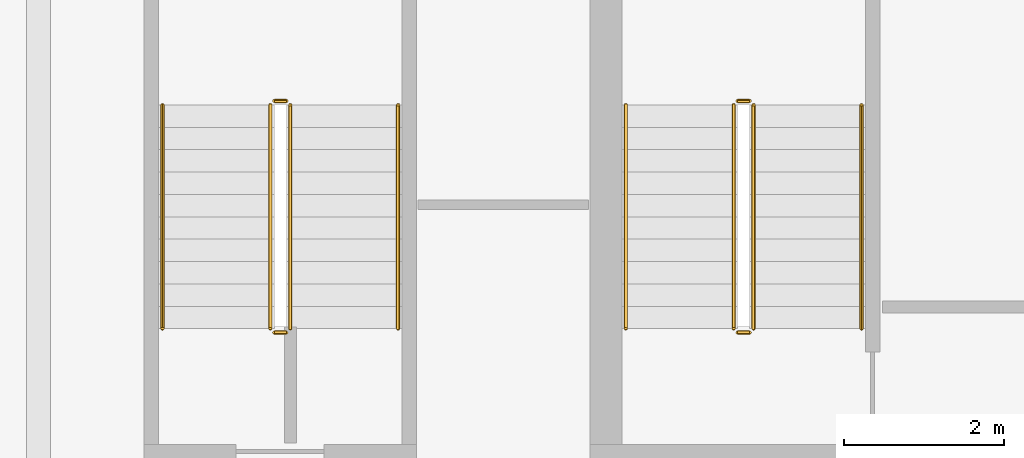
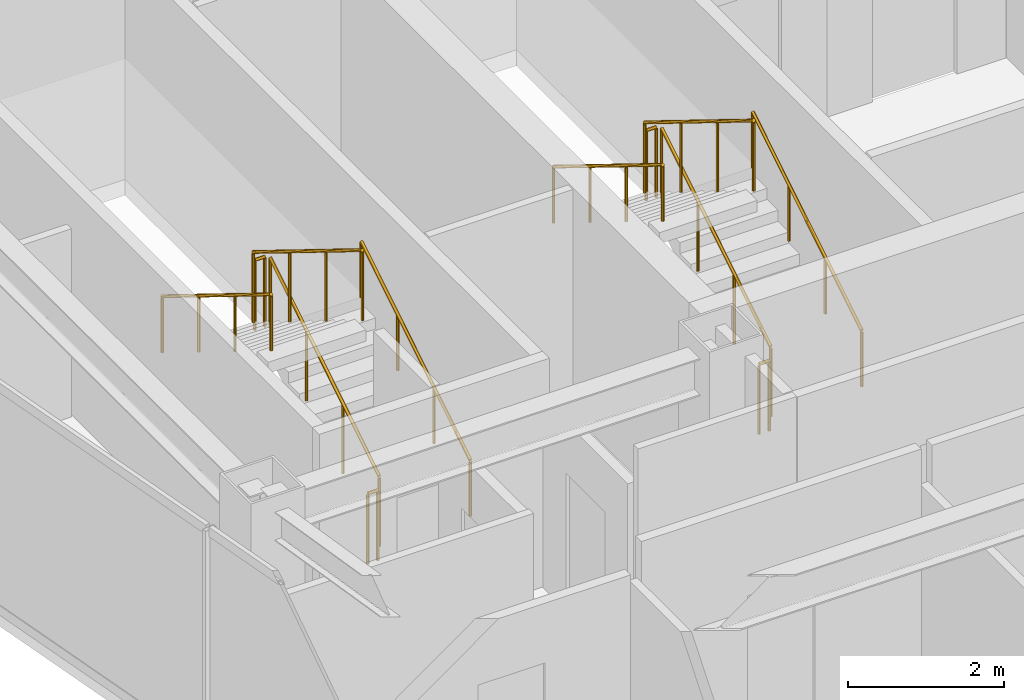
# One storey, part 31 of 33: 12 railings.
"""IFC4 building model written with IfcOpenShell, lengths in metres."""

from ifc_helpers import new_model, si_unit, direction, frame, origin, origin_2d, place, context, subcontext, project, spatial, circle, extrude, material, type_object, element, save


model = new_model("IFC4")

# Units and contexts
model_context = context("Model", 3, precision=1e-05, world=origin(), true_north=direction((0.0, 1.0)))
body_context = subcontext(model_context, "Body", "Model", "MODEL_VIEW")
ifc_project = project(units=[si_unit("LENGTHUNIT", "METRE"), si_unit("AREAUNIT", "SQUARE_METRE"), si_unit("VOLUMEUNIT", "CUBIC_METRE"), si_unit("PLANEANGLEUNIT", "RADIAN"), si_unit("MASSUNIT", "GRAM", prefix="KILO")], contexts=[model_context])

# Site, building, storey
site_placement = place(None, origin())
site = spatial("IfcSite", under=ifc_project, at=site_placement, CompositionType="ELEMENT")
building_placement = place(site_placement, origin())
building = spatial("IfcBuilding", under=site, at=building_placement, Name="Saevonmaru Cultural Tower", CompositionType="ELEMENT")
storey_placement = place(building_placement, frame((0.0, 0.0, 238.199951171875)))
storey = spatial("IfcBuildingStorey", under=building, at=storey_placement, Name="L55", CompositionType="ELEMENT", Elevation=238.199951171875)

# Railings
ifc_material_1 = material(Name="Architectural Painted Steel", Category="steel")
railing_type_1 = type_object("IfcRailingType", Name="RL-STAIR-GUARD", PredefinedType="GUARDRAIL", material=ifc_material_1)
railing_1_placement = place(storey_placement, frame((15.75, 44.85009765625, 0.1728515625)))
element("IfcRailing", 1, at=railing_1_placement, inside=storey, type_object=railing_type_1, Name="L55 ST-1 stair guard 1", PredefinedType="GUARDRAIL", context=body_context, shape_type="SweptSolid", body=[
    extrude(circle(Radius=0.02392578125, at=origin_2d()), frame((0.0, 0.0, 1.09619140625), z_axis=(0.0, 0.851069175582, 0.525053576669), x_axis=(-1.0, 0.0, 0.0)), (0.0, 0.0, 1.0), 3.289794921875),
    extrude(circle(Radius=0.02099609375, at=origin_2d()), origin(), (0.0, 0.0, 1.0), 1.072021484375),
    extrude(circle(Radius=0.02099609375, at=origin_2d()), frame((0.0, 0.933349609375, 0.57568359375)), (0.0, 0.0, 1.0), 1.072021484375),
    extrude(circle(Radius=0.02099609375, at=origin_2d()), frame((0.0, 1.866455078125, 1.151611328125)), (0.0, 0.0, 1.0), 1.072021484375),
    extrude(circle(Radius=0.02099609375, at=origin_2d()), frame((0.0, 2.7998046875, 1.727294921875)), (0.0, 0.0, 1.0), 1.072021484375),
])
railing_2_placement = place(storey_placement, frame((15.699951171875, 47.699951171875, 1.900146484375)))
element("IfcRailing", 2, at=railing_2_placement, inside=storey, type_object=railing_type_1, Name="L55 ST-1 stair guard 2", PredefinedType="GUARDRAIL", context=body_context, shape_type="SweptSolid", body=[
    extrude(circle(Radius=0.02392578125, at=origin_2d()), frame((0.0, 0.0, 1.09619140625), z_axis=(-1.0, 0.0, 0.0), x_axis=(0.0, -1.0, 0.0)), (0.0, 0.0, 1.0), 0.14990234375),
    extrude(circle(Radius=0.02099609375, at=origin_2d()), origin(), (0.0, 0.0, 1.0), 1.072021484375),
    extrude(circle(Radius=0.02099609375, at=origin_2d()), frame((-0.14990234375, 0.0, 0.0)), (0.0, 0.0, 1.0), 1.072021484375),
])
railing_3_placement = place(storey_placement, frame((15.5, 47.64990234375, 2.07275390625)))
element("IfcRailing", 3, at=railing_3_placement, inside=storey, type_object=railing_type_1, Name="L55 ST-1 stair guard 3", PredefinedType="GUARDRAIL", context=body_context, shape_type="SweptSolid", body=[
    extrude(circle(Radius=0.02392578125, at=origin_2d()), frame((0.0, 0.0, 1.09619140625), z_axis=(0.0, -0.851069175582, 0.525053576669), x_axis=(1.0, 0.0, 0.0)), (0.0, 0.0, 1.0), 3.289794921875),
    extrude(circle(Radius=0.02099609375, at=origin_2d()), origin(), (0.0, 0.0, 1.0), 1.072021484375),
    extrude(circle(Radius=0.02099609375, at=origin_2d()), frame((0.0, -0.933349609375, 0.57568359375)), (0.0, 0.0, 1.0), 1.072021484375),
    extrude(circle(Radius=0.02099609375, at=origin_2d()), frame((0.0, -1.866455078125, 1.151611328125)), (0.0, 0.0, 1.0), 1.072021484375),
    extrude(circle(Radius=0.02099609375, at=origin_2d()), frame((0.0, -2.7998046875, 1.727294921875)), (0.0, 0.0, 1.0), 1.072021484375),
])
railing_4_placement = place(storey_placement, frame((15.699951171875, 44.800048828125, 0.0)))
element("IfcRailing", 4, at=railing_4_placement, inside=storey, type_object=railing_type_1, Name="L55 ST-1 stair guard 4", PredefinedType="GUARDRAIL", context=body_context, shape_type="SweptSolid", body=[
    extrude(circle(Radius=0.02392578125, at=origin_2d()), frame((0.0, 0.0, 1.09619140625), z_axis=(-1.0, 0.0, 0.0), x_axis=(0.0, -1.0, 0.0)), (0.0, 0.0, 1.0), 0.14990234375),
    extrude(circle(Radius=0.02099609375, at=origin_2d()), origin(), (0.0, 0.0, 1.0), 1.072021484375),
    extrude(circle(Radius=0.02099609375, at=origin_2d()), frame((-0.14990234375, 0.0, 0.0)), (0.0, 0.0, 1.0), 1.072021484375),
])
railing_5_placement = place(storey_placement, frame((9.949951171875, 44.85009765625, 0.1728515625)))
element("IfcRailing", 5, at=railing_5_placement, inside=storey, type_object=railing_type_1, Name="L55 ST-3 stair guard 1", PredefinedType="GUARDRAIL", context=body_context, shape_type="SweptSolid", body=[
    extrude(circle(Radius=0.02392578125, at=origin_2d()), frame((0.0, 0.0, 1.09619140625), z_axis=(0.0, 0.851069175582, 0.525053576669), x_axis=(-1.0, 0.0, 0.0)), (0.0, 0.0, 1.0), 3.289794921875),
    extrude(circle(Radius=0.02099609375, at=origin_2d()), origin(), (0.0, 0.0, 1.0), 1.072021484375),
    extrude(circle(Radius=0.02099609375, at=origin_2d()), frame((0.0, 0.933349609375, 0.57568359375)), (0.0, 0.0, 1.0), 1.072021484375),
    extrude(circle(Radius=0.02099609375, at=origin_2d()), frame((0.0, 1.866455078125, 1.151611328125)), (0.0, 0.0, 1.0), 1.072021484375),
    extrude(circle(Radius=0.02099609375, at=origin_2d()), frame((0.0, 2.7998046875, 1.727294921875)), (0.0, 0.0, 1.0), 1.072021484375),
])
railing_6_placement = place(storey_placement, frame((9.89990234375, 47.699951171875, 1.900146484375)))
element("IfcRailing", 6, at=railing_6_placement, inside=storey, type_object=railing_type_1, Name="L55 ST-3 stair guard 2", PredefinedType="GUARDRAIL", context=body_context, shape_type="SweptSolid", body=[
    extrude(circle(Radius=0.02392578125, at=origin_2d()), frame((0.0, 0.0, 1.09619140625), z_axis=(-1.0, 0.0, 0.0), x_axis=(0.0, -1.0, 0.0)), (0.0, 0.0, 1.0), 0.14990234375),
    extrude(circle(Radius=0.02099609375, at=origin_2d()), origin(), (0.0, 0.0, 1.0), 1.072021484375),
    extrude(circle(Radius=0.02099609375, at=origin_2d()), frame((-0.14990234375, 0.0, 0.0)), (0.0, 0.0, 1.0), 1.072021484375),
])
railing_7_placement = place(storey_placement, frame((9.699951171875, 47.64990234375, 2.07275390625)))
element("IfcRailing", 7, at=railing_7_placement, inside=storey, type_object=railing_type_1, Name="L55 ST-3 stair guard 3", PredefinedType="GUARDRAIL", context=body_context, shape_type="SweptSolid", body=[
    extrude(circle(Radius=0.02392578125, at=origin_2d()), frame((0.0, 0.0, 1.09619140625), z_axis=(0.0, -0.851069175582, 0.525053576669), x_axis=(1.0, 0.0, 0.0)), (0.0, 0.0, 1.0), 3.289794921875),
    extrude(circle(Radius=0.02099609375, at=origin_2d()), origin(), (0.0, 0.0, 1.0), 1.072021484375),
    extrude(circle(Radius=0.02099609375, at=origin_2d()), frame((0.0, -0.933349609375, 0.57568359375)), (0.0, 0.0, 1.0), 1.072021484375),
    extrude(circle(Radius=0.02099609375, at=origin_2d()), frame((0.0, -1.866455078125, 1.151611328125)), (0.0, 0.0, 1.0), 1.072021484375),
    extrude(circle(Radius=0.02099609375, at=origin_2d()), frame((0.0, -2.7998046875, 1.727294921875)), (0.0, 0.0, 1.0), 1.072021484375),
])
railing_8_placement = place(storey_placement, frame((9.89990234375, 44.800048828125, 0.0)))
element("IfcRailing", 8, at=railing_8_placement, inside=storey, type_object=railing_type_1, Name="L55 ST-3 stair guard 4", PredefinedType="GUARDRAIL", context=body_context, shape_type="SweptSolid", body=[
    extrude(circle(Radius=0.02392578125, at=origin_2d()), frame((0.0, 0.0, 1.09619140625), z_axis=(-1.0, 0.0, 0.0), x_axis=(0.0, -1.0, 0.0)), (0.0, 0.0, 1.0), 0.14990234375),
    extrude(circle(Radius=0.02099609375, at=origin_2d()), origin(), (0.0, 0.0, 1.0), 1.072021484375),
    extrude(circle(Radius=0.02099609375, at=origin_2d()), frame((-0.14990234375, 0.0, 0.0)), (0.0, 0.0, 1.0), 1.072021484375),
])
ifc_material_2 = material(Name="Satin Bronze Anodised Aluminium", Category="aluminium")
railing_type_2 = type_object("IfcRailingType", Name="RL-STAIR-HANDRAIL", PredefinedType="HANDRAIL", material=ifc_material_2)
railing_9_placement = place(storey_placement, frame((17.10009765625, 44.85009765625, 0.1728515625)))
element("IfcRailing", 9, at=railing_9_placement, inside=storey, type_object=railing_type_2, Name="L55 ST-1 stair handrail 1", PredefinedType="HANDRAIL", context=body_context, shape_type="SweptSolid", body=[
    extrude(circle(Radius=0.02392578125, at=origin_2d()), frame((0.0, 0.0, 0.8759765625), z_axis=(0.0, 0.851069175582, 0.525053576669), x_axis=(-1.0, 0.0, 0.0)), (0.0, 0.0, 1.0), 3.289794921875),
    extrude(circle(Radius=0.02099609375, at=origin_2d()), origin(), (0.0, 0.0, 1.0), 0.851806640625),
    extrude(circle(Radius=0.02099609375, at=origin_2d()), frame((0.0, 0.933349609375, 0.57568359375)), (0.0, 0.0, 1.0), 0.851806640625),
    extrude(circle(Radius=0.02099609375, at=origin_2d()), frame((0.0, 1.866455078125, 1.151611328125)), (0.0, 0.0, 1.0), 0.851806640625),
    extrude(circle(Radius=0.02099609375, at=origin_2d()), frame((0.0, 2.7998046875, 1.727294921875)), (0.0, 0.0, 1.0), 0.851806640625),
])
railing_10_placement = place(storey_placement, frame((14.14990234375, 47.64990234375, 2.07275390625)))
element("IfcRailing", 10, at=railing_10_placement, inside=storey, type_object=railing_type_2, Name="L55 ST-1 stair handrail 2", PredefinedType="HANDRAIL", context=body_context, shape_type="SweptSolid", body=[
    extrude(circle(Radius=0.02392578125, at=origin_2d()), frame((0.0, 0.0, 0.8759765625), z_axis=(0.0, -0.851069175582, 0.525053576669), x_axis=(1.0, 0.0, 0.0)), (0.0, 0.0, 1.0), 3.289794921875),
    extrude(circle(Radius=0.02099609375, at=origin_2d()), origin(), (0.0, 0.0, 1.0), 0.851806640625),
    extrude(circle(Radius=0.02099609375, at=origin_2d()), frame((0.0, -0.933349609375, 0.57568359375)), (0.0, 0.0, 1.0), 0.851806640625),
    extrude(circle(Radius=0.02099609375, at=origin_2d()), frame((0.0, -1.866455078125, 1.151611328125)), (0.0, 0.0, 1.0), 0.851806640625),
    extrude(circle(Radius=0.02099609375, at=origin_2d()), frame((0.0, -2.7998046875, 1.727294921875)), (0.0, 0.0, 1.0), 0.851806640625),
])
railing_11_placement = place(storey_placement, frame((11.300048828125, 44.85009765625, 0.1728515625)))
element("IfcRailing", 11, at=railing_11_placement, inside=storey, type_object=railing_type_2, Name="L55 ST-3 stair handrail 1", PredefinedType="HANDRAIL", context=body_context, shape_type="SweptSolid", body=[
    extrude(circle(Radius=0.02392578125, at=origin_2d()), frame((0.0, 0.0, 0.8759765625), z_axis=(0.0, 0.851069175582, 0.525053576669), x_axis=(-1.0, 0.0, 0.0)), (0.0, 0.0, 1.0), 3.289794921875),
    extrude(circle(Radius=0.02099609375, at=origin_2d()), origin(), (0.0, 0.0, 1.0), 0.851806640625),
    extrude(circle(Radius=0.02099609375, at=origin_2d()), frame((0.0, 0.933349609375, 0.57568359375)), (0.0, 0.0, 1.0), 0.851806640625),
    extrude(circle(Radius=0.02099609375, at=origin_2d()), frame((0.0, 1.866455078125, 1.151611328125)), (0.0, 0.0, 1.0), 0.851806640625),
    extrude(circle(Radius=0.02099609375, at=origin_2d()), frame((0.0, 2.7998046875, 1.727294921875)), (0.0, 0.0, 1.0), 0.851806640625),
])
railing_12_placement = place(storey_placement, frame((8.35009765625, 47.64990234375, 2.07275390625)))
element("IfcRailing", 12, at=railing_12_placement, inside=storey, type_object=railing_type_2, Name="L55 ST-3 stair handrail 2", PredefinedType="HANDRAIL", context=body_context, shape_type="SweptSolid", body=[
    extrude(circle(Radius=0.02392578125, at=origin_2d()), frame((0.0, 0.0, 0.8759765625), z_axis=(0.0, -0.851069175582, 0.525053576669), x_axis=(1.0, 0.0, 0.0)), (0.0, 0.0, 1.0), 3.289794921875),
    extrude(circle(Radius=0.02099609375, at=origin_2d()), origin(), (0.0, 0.0, 1.0), 0.851806640625),
    extrude(circle(Radius=0.02099609375, at=origin_2d()), frame((0.0, -0.933349609375, 0.57568359375)), (0.0, 0.0, 1.0), 0.851806640625),
    extrude(circle(Radius=0.02099609375, at=origin_2d()), frame((0.0, -1.866455078125, 1.151611328125)), (0.0, 0.0, 1.0), 0.851806640625),
    extrude(circle(Radius=0.02099609375, at=origin_2d()), frame((0.0, -2.7998046875, 1.727294921875)), (0.0, 0.0, 1.0), 0.851806640625),
])

save(model, "model.ifc")
